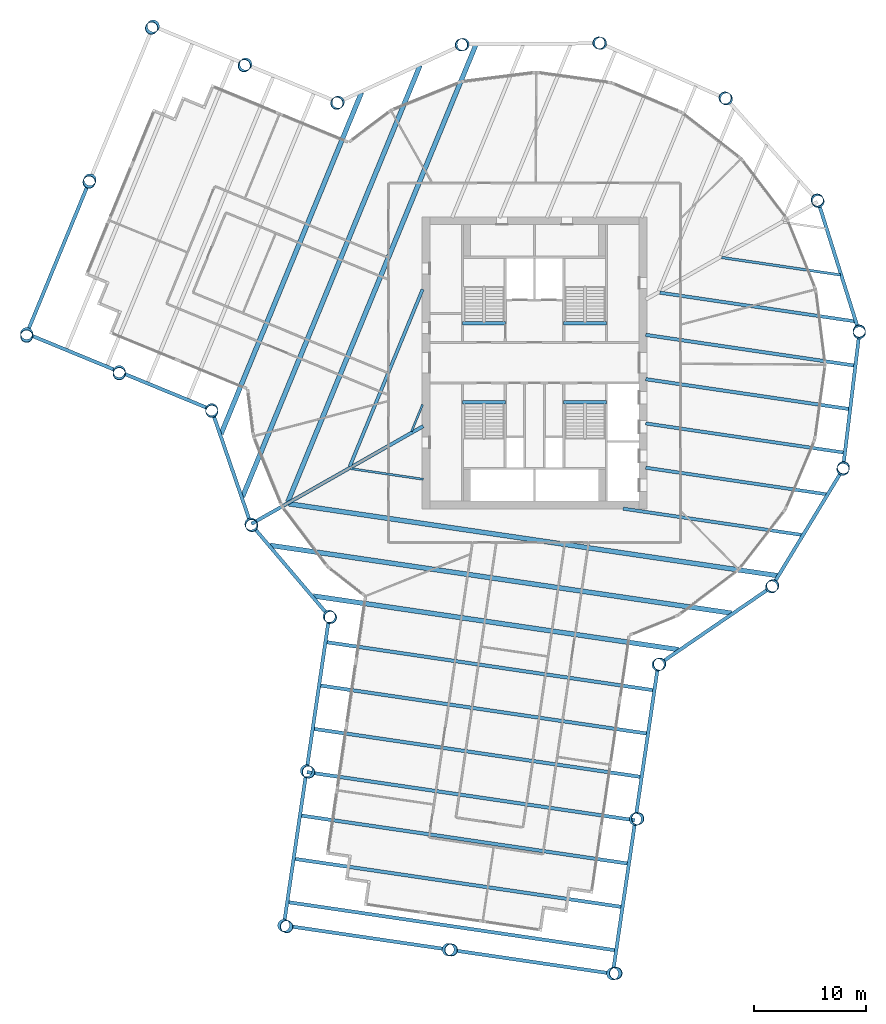
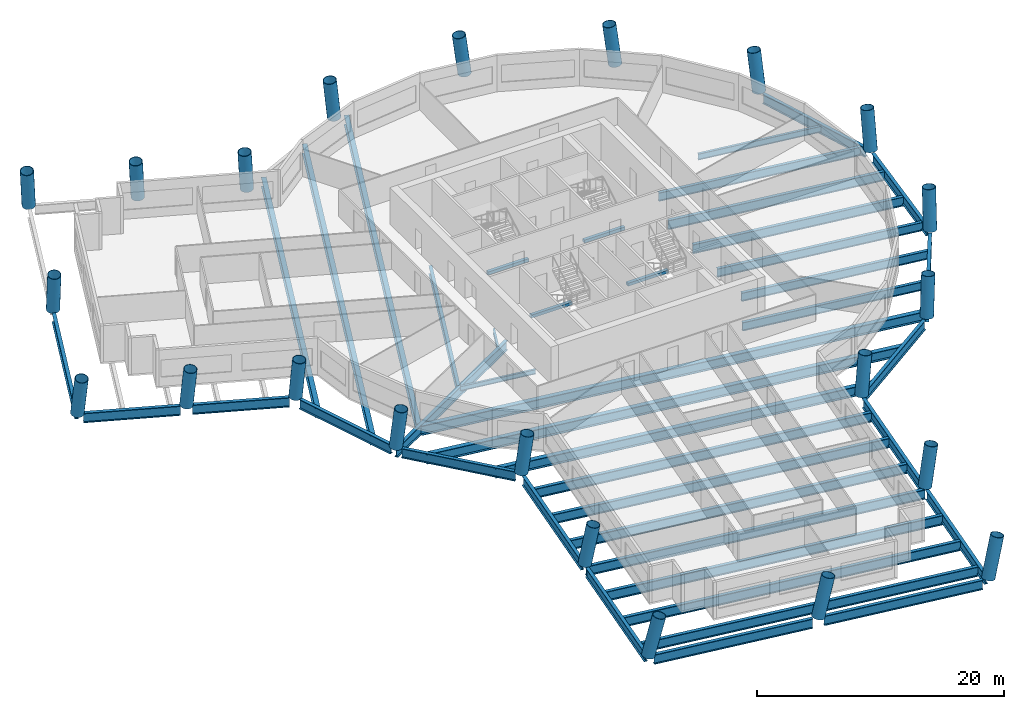
# One storey, part 1 of 11: 43 beams, 22 columns.
"""IFC4 building model written with IfcOpenShell, lengths in metres."""

from ifc_helpers import new_model, si_unit, direction, frame, origin, origin_2d, place, context, subcontext, project, spatial, rectangle, hollow_circle, i_section, extrude, material, material_profile, profile_set, type_object, element, save


model = new_model("IFC4")

# Units and contexts
model_context = context("Model", 3, precision=1e-05, world=origin(), true_north=direction((0.0, 1.0)))
body_context = subcontext(model_context, "Body", "Model", "MODEL_VIEW")
ifc_project = project(units=[si_unit("LENGTHUNIT", "METRE"), si_unit("AREAUNIT", "SQUARE_METRE"), si_unit("VOLUMEUNIT", "CUBIC_METRE"), si_unit("PLANEANGLEUNIT", "RADIAN"), si_unit("MASSUNIT", "GRAM", prefix="KILO")], contexts=[model_context])

# Site, building, storey
site_placement = place(None, origin())
site = spatial("IfcSite", under=ifc_project, at=site_placement, CompositionType="ELEMENT")
building_placement = place(site_placement, origin())
building = spatial("IfcBuilding", under=site, at=building_placement, Name="Tarsis Ring Headquarters", CompositionType="ELEMENT")
storey_placement = place(building_placement, frame((0.0, 0.0, 190.5)))
storey = spatial("IfcBuildingStorey", under=building, at=storey_placement, Name="L44", CompositionType="ELEMENT", Elevation=190.5)

# Columns
ifc_material_1 = material(Name="Structural steel S355", Category="steel")
ifc_material_profile_1 = material_profile(ifc_material_1, hollow_circle(Radius=0.558837890625, WallThickness=0.044921875, at=origin_2d()), Name="CHS 1118x45")
ifc_profile_set_1 = profile_set([ifc_material_profile_1], Name="Structural steel S355")
column_type = type_object("IfcColumnType", Name="XC Exo column CHS 1118x45", PredefinedType="COLUMN", material=ifc_profile_set_1)
for number, where, z_axis, x_axis, name in (
    (1, (-25.247314453125, -14.3662109375, 0.003173828125), (0.062131877792, -0.107154072654, 0.992299165814), (0.865092445324, 0.501612461013, 0.0), "Exo column XC4 F1"),
    (2, (-18.276611328125, -22.578369140625, 0.003173828125), (0.096913382622, -0.077118574445, 0.992300620651), (0.622663916313, 0.782489391188, 0.0), "Exo column XC4 AK"),
):
    element("IfcColumn", number, at=place(storey_placement, frame(where, z_axis=z_axis, x_axis=x_axis)), inside=storey, type_object=column_type, Name=name, PredefinedType="COLUMN", context=body_context, shape_type="SweptSolid", body=[
        extrude(hollow_circle(Radius=0.558837890625, WallThickness=0.044921875, at=origin_2d()), origin(), (0.0, 0.0, 1.0), 3.90966796875),
    ])
column_1_placement = place(storey_placement, frame((-20.29736328125, -36.3330078125, 0.00439453125), z_axis=(0.154320243768, -0.084547132748, 0.984396792309), x_axis=(0.480482617874, 0.877004249659, 0.0)))
element("IfcColumn", 3, at=column_1_placement, inside=storey, type_object=column_type, Name="Exo column XC4 AI1", PredefinedType="COLUMN", context=body_context, shape_type="SweptSolid", body=[
    extrude(hollow_circle(Radius=0.558837890625, WallThickness=0.044921875, at=origin_2d()), origin(), (0.0, 0.0, 1.0), 3.932861328125),
])
column_2_placement = place(storey_placement, frame((-22.318115234375, -50.087646484375, 0.005615234375), z_axis=(0.210219231736, -0.091578828571, 0.973355635298), x_axis=(0.399383132578, 0.916784114943, 0.0)))
element("IfcColumn", 4, at=column_2_placement, inside=storey, type_object=column_type, Name="Exo column XC4 AT1", PredefinedType="COLUMN", context=body_context, shape_type="SweptSolid", body=[
    extrude(hollow_circle(Radius=0.558837890625, WallThickness=0.044921875, at=origin_2d()), origin(), (0.0, 0.0, 1.0), 3.969482421875),
])
column_3_placement = place(storey_placement, frame((-7.675537109375, -52.239013671875, 0.00537109375), z_axis=(0.219119226711, -0.030369912502, 0.975225324169), x_axis=(0.13728757311, 0.990531232354, 0.0)))
element("IfcColumn", 5, at=column_3_placement, inside=storey, type_object=column_type, Name="Exo column XC4 AT2", PredefinedType="COLUMN", context=body_context, shape_type="SweptSolid", body=[
    extrude(hollow_circle(Radius=0.558837890625, WallThickness=0.044921875, at=origin_2d()), origin(), (0.0, 0.0, 1.0), 3.963134765625),
])
column_4_placement = place(storey_placement, frame((6.96728515625, -54.390625, 0.005615234375), z_axis=(0.227193868799, 0.03105925927, 0.973354133085), x_axis=(-0.135448329135, 0.990784411532, 0.0)))
element("IfcColumn", 6, at=column_4_placement, inside=storey, type_object=column_type, Name="Exo column XC4 AT3", PredefinedType="COLUMN", context=body_context, shape_type="SweptSolid", body=[
    extrude(hollow_circle(Radius=0.558837890625, WallThickness=0.044921875, at=origin_2d()), origin(), (0.0, 0.0, 1.0), 3.969482421875),
])
column_5_placement = place(storey_placement, frame((8.988037109375, -40.635986328125, 0.00439453125), z_axis=(0.171514506835, 0.039417919595, 0.984392706982), x_axis=(-0.223983535796, 0.974592928197, 0.0)))
element("IfcColumn", 7, at=column_5_placement, inside=storey, type_object=column_type, Name="Exo column XC4 AO1", PredefinedType="COLUMN", context=body_context, shape_type="SweptSolid", body=[
    extrude(hollow_circle(Radius=0.558837890625, WallThickness=0.044921875, at=origin_2d()), origin(), (0.0, 0.0, 1.0), 3.932861328125),
])
for number, where, z_axis, x_axis, name in (
    (8, (11.009033203125, -26.881591796875, 0.003173828125), (0.114210512051, 0.04789473086, 0.992301392568), (-0.386726676251, 0.922194381829, 0.0), "Exo column XC4 AJ"),
    (9, (21.110595703125, -19.953857421875, 0.003173828125), (0.084300169886, 0.090669516055, 0.992306666417), (-0.732362201833, 0.680915270299, 0.0), "Exo column XC4 R1"),
    (10, (27.45849609375, -9.478515625, 0.003173828125), (0.039464736054, 0.11739510092, 0.992300823787), (-0.94787351033, 0.318646839643, 0.0), "Exo column XC4 R2"),
    (11, (28.92431640625, 2.682373046875, 0.003173828125), (-0.012426432516, 0.123202770624, 0.992303714135), (-0.994951948735, -0.100352477343, 0.0), "Exo column XC4 R3"),
    (12, (25.247314453125, 14.3662109375, 0.003173828125), (-0.062131877792, 0.107154072654, 0.992299165814), (-0.865092445324, -0.501612461013, 0.0), "Exo column XC4 R4"),
    (13, (17.0810546875, 23.495849609375, 0.003173828125), (-0.100723471076, 0.071936415796, 0.992310402272), (-0.581190469215, -0.813767558025, 0.0), "Exo column XC4 R5"),
    (14, (5.8779296875, 28.447509765625, 0.003173828125), (-0.121516106279, 0.024040956278, 0.992298275891), (-0.194079909237, -0.980985723051, 0.0), "Exo column XC4 R6"),
    (15, (-6.37060546875, 28.34130859375, 0.003173828125), (-0.12058014597, -0.028162426635, 0.992304039155), (0.227436854808, -0.973792830675, 0.0), "Exo column XC4 R7"),
    (16, (-17.486083984375, 23.19580078125, 0.003173828125), (-0.098287078915, -0.07537007894, 0.992299854539), (0.608516212989, -0.793541440965, 0.0), "Exo column XC4 BJ"),
):
    element("IfcColumn", number, at=place(storey_placement, frame(where, z_axis=z_axis, x_axis=x_axis)), inside=storey, type_object=column_type, Name=name, PredefinedType="COLUMN", context=body_context, shape_type="SweptSolid", body=[
        extrude(hollow_circle(Radius=0.558837890625, WallThickness=0.044921875, at=origin_2d()), origin(), (0.0, 0.0, 1.0), 3.90966796875),
    ])
column_6_placement = place(storey_placement, frame((-25.71923828125, 26.582275390625, 0.004150390625), z_axis=(-0.11189874156, -0.11003168803, 0.987609082211), x_axis=(0.701133231231, -0.713030288322, 0.0)))
element("IfcColumn", 17, at=column_6_placement, inside=storey, type_object=column_type, Name="Exo column XC4 BO1", PredefinedType="COLUMN", context=body_context, shape_type="SweptSolid", body=[
    extrude(hollow_circle(Radius=0.558837890625, WallThickness=0.044921875, at=origin_2d()), origin(), (0.0, 0.0, 1.0), 3.9228515625),
])
column_7_placement = place(storey_placement, frame((-33.952392578125, 29.96875, 0.0048828125), z_axis=(-0.125168840325, -0.144244546817, 0.981593740875), x_axis=(0.755282334168, -0.655399569495, 0.0)))
element("IfcColumn", 18, at=column_7_placement, inside=storey, type_object=column_type, Name="Exo column XC4 BT3", PredefinedType="COLUMN", context=body_context, shape_type="SweptSolid", body=[
    extrude(hollow_circle(Radius=0.558837890625, WallThickness=0.044921875, at=origin_2d()), origin(), (0.0, 0.0, 1.0), 3.94189453125),
])
column_8_placement = place(storey_placement, frame((-39.582275390625, 16.281494140625, 0.004638671875), z_axis=(-0.067366038476, -0.167856814103, 0.983506942944), x_axis=(0.928050337108, -0.372454791611, 0.0)))
element("IfcColumn", 19, at=column_8_placement, inside=storey, type_object=column_type, Name="Exo column XC4 BT2", PredefinedType="COLUMN", context=body_context, shape_type="SweptSolid", body=[
    extrude(hollow_circle(Radius=0.558837890625, WallThickness=0.044921875, at=origin_2d()), origin(), (0.0, 0.0, 1.0), 3.935791015625),
])
column_9_placement = place(storey_placement, frame((-45.212158203125, 2.593994140625, 0.0048828125), z_axis=(-0.009352041601, -0.19075687504, 0.981592763799), x_axis=(0.998800388993, -0.048967161928, 0.0)))
element("IfcColumn", 20, at=column_9_placement, inside=storey, type_object=column_type, Name="Exo column XC4 BT1", PredefinedType="COLUMN", context=body_context, shape_type="SweptSolid", body=[
    extrude(hollow_circle(Radius=0.558837890625, WallThickness=0.044921875, at=origin_2d()), origin(), (0.0, 0.0, 1.0), 3.94189453125),
])
column_10_placement = place(storey_placement, frame((-36.979248046875, -0.792236328125, 0.004150390625), z_axis=(0.004667611787, -0.156893990867, 0.987604419305), x_axis=(0.999557759338, 0.029736942463, 0.0)))
element("IfcColumn", 21, at=column_10_placement, inside=storey, type_object=column_type, Name="Exo column XC4 BI1", PredefinedType="COLUMN", context=body_context, shape_type="SweptSolid", body=[
    extrude(hollow_circle(Radius=0.558837890625, WallThickness=0.044921875, at=origin_2d()), origin(), (0.0, 0.0, 1.0), 3.9228515625),
])
column_11_placement = place(storey_placement, frame((-28.746337890625, -4.1787109375, 0.003173828125), z_axis=(0.018858186692, -0.12239088052, 0.992302797114), x_axis=(0.988336694387, 0.152284531482, 0.0)))
element("IfcColumn", 22, at=column_11_placement, inside=storey, type_object=column_type, Name="Exo column XC4 BK", PredefinedType="COLUMN", context=body_context, shape_type="SweptSolid", body=[
    extrude(hollow_circle(Radius=0.558837890625, WallThickness=0.044921875, at=origin_2d()), origin(), (0.0, 0.0, 1.0), 3.90966796875),
])

# Beams
ifc_material_profile_2 = material_profile(ifc_material_1, i_section(OverallWidth=0.177734375, OverallDepth=0.406494140625, WebThickness=0.0078125, FlangeThickness=0.0126953125, at=origin_2d()), Name="W16x40")
ifc_profile_set_2 = profile_set([ifc_material_profile_2], Name="Structural steel S355")
beam_type_1 = type_object("IfcBeamType", Name="FB Floor beam W16x40", PredefinedType="JOIST", material=ifc_profile_set_2)
beam_1_placement = place(storey_placement, frame((-9.9619140625, -3.714111328125, -0.36328125), z_axis=(-0.380462492529, -0.924796351517, 0.0), x_axis=(0.924796351517, -0.380462492529, 0.0)))
element("IfcBeam", 23, at=beam_1_placement, inside=storey, type_object=beam_type_1, Name="Floor beam FB1", PredefinedType="JOIST", context=body_context, shape_type="SweptSolid", body=[
    extrude(i_section(OverallWidth=0.177734375, OverallDepth=0.406494140625, WebThickness=0.0078125, FlangeThickness=0.0126953125, at=origin_2d()), origin(), (0.0, 0.0, 1.0), 2.607177734375),
])
ifc_material_profile_3 = material_profile(ifc_material_1, i_section(OverallWidth=0.1904296875, OverallDepth=0.457275390625, WebThickness=0.009033203125, FlangeThickness=0.014404296875, at=origin_2d()), Name="W18x50")
ifc_profile_set_3 = profile_set([ifc_material_profile_3], Name="Structural steel S355")
beam_type_2 = type_object("IfcBeamType", Name="FB Floor beam W18x50", PredefinedType="JOIST", material=ifc_profile_set_3)
beam_2_placement = place(storey_placement, frame((-16.3671875, -9.42041015625, -0.388671875), z_axis=(0.989374470826, -0.145389671152, 0.0), x_axis=(0.145389671152, 0.989374470826, 0.0)))
element("IfcBeam", 24, at=beam_2_placement, inside=storey, type_object=beam_type_2, Name="Floor beam FB2", PredefinedType="JOIST", context=body_context, shape_type="SweptSolid", body=[
    extrude(i_section(OverallWidth=0.1904296875, OverallDepth=0.457275390625, WebThickness=0.009033203125, FlangeThickness=0.014404296875, at=origin_2d()), origin(), (0.0, 0.0, 1.0), 6.535400390625),
])
ifc_material_profile_4 = material_profile(ifc_material_1, i_section(OverallWidth=0.228271484375, OverallDepth=0.607177734375, WebThickness=0.01123046875, FlangeThickness=0.017333984375, at=origin_2d()), Name="W24x76")
ifc_profile_set_4 = profile_set([ifc_material_profile_4], Name="Structural steel S355")
beam_type_3 = type_object("IfcBeamType", Name="FB Floor beam W24x76", PredefinedType="JOIST", material=ifc_profile_set_4)
beam_3_placement = place(storey_placement, frame((16.667236328125, 9.376220703125, -0.463623046875), z_axis=(0.989374414361, -0.145390055394, 0.0), x_axis=(0.145390055394, 0.989374414361, 0.0)))
element("IfcBeam", 25, at=beam_3_placement, inside=storey, type_object=beam_type_3, Name="Floor beam FB4", PredefinedType="JOIST", context=body_context, shape_type="SweptSolid", body=[
    extrude(i_section(OverallWidth=0.228271484375, OverallDepth=0.607177734375, WebThickness=0.01123046875, FlangeThickness=0.017333984375, at=origin_2d()), origin(), (0.0, 0.0, 1.0), 10.684814453125),
])
ifc_material_profile_5 = material_profile(ifc_material_1, i_section(OverallWidth=0.2919921875, OverallDepth=0.835693359375, WebThickness=0.013916015625, FlangeThickness=0.018798828125, at=origin_2d()), Name="W33x118")
ifc_profile_set_5 = profile_set([ifc_material_profile_5], Name="Structural steel S355")
beam_type_4 = type_object("IfcBeamType", Name="FB Floor beam W33x118", PredefinedType="JOIST", material=ifc_profile_set_5)
beam_4_placement = place(storey_placement, frame((11.16162109375, 6.24365234375, -0.577880859375), z_axis=(0.989374136241, -0.145391947977, 0.0), x_axis=(0.145391947977, 0.989374136241, 0.0)))
element("IfcBeam", 26, at=beam_4_placement, inside=storey, type_object=beam_type_4, Name="Floor beam FB7", PredefinedType="JOIST", context=body_context, shape_type="SweptSolid", body=[
    extrude(i_section(OverallWidth=0.2919921875, OverallDepth=0.835693359375, WebThickness=0.013916015625, FlangeThickness=0.018798828125, at=origin_2d()), origin(), (0.0, 0.0, 1.0), 17.564208984375),
])
beam_5_placement = place(storey_placement, frame((9.901123046875, -5.39697265625, -0.577880859375), z_axis=(0.989375150615, -0.145385045123, 0.0), x_axis=(0.145385045123, 0.989375150615, 0.0)))
element("IfcBeam", 27, at=beam_5_placement, inside=storey, type_object=beam_type_4, Name="Floor beam FB7", PredefinedType="JOIST", context=body_context, shape_type="SweptSolid", body=[
    extrude(i_section(OverallWidth=0.2919921875, OverallDepth=0.835693359375, WebThickness=0.013916015625, FlangeThickness=0.018798828125, at=origin_2d()), origin(), (0.0, 0.0, 1.0), 17.870849609375),
])
beam_6_placement = place(storey_placement, frame((9.901123046875, -9.3388671875, -0.577880859375), z_axis=(0.989374660629, -0.145388379538, 0.0), x_axis=(0.145388379538, 0.989374660629, 0.0)))
element("IfcBeam", 28, at=beam_6_placement, inside=storey, type_object=beam_type_4, Name="Floor beam FB7", PredefinedType="JOIST", context=body_context, shape_type="SweptSolid", body=[
    extrude(i_section(OverallWidth=0.2919921875, OverallDepth=0.835693359375, WebThickness=0.013916015625, FlangeThickness=0.018798828125, at=origin_2d()), origin(), (0.0, 0.0, 1.0), 16.305419921875),
])
beam_7_placement = place(storey_placement, frame((7.892333984375, -12.9853515625, -0.577880859375), z_axis=(0.989372276941, -0.145404599725, 0.0), x_axis=(0.145404599725, 0.989372276941, 0.0)))
element("IfcBeam", 29, at=beam_7_placement, inside=storey, type_object=beam_type_4, Name="Floor beam FB7", PredefinedType="JOIST", context=body_context, shape_type="SweptSolid", body=[
    extrude(i_section(OverallWidth=0.2919921875, OverallDepth=0.835693359375, WebThickness=0.013916015625, FlangeThickness=0.018798828125, at=origin_2d()), origin(), (0.0, 0.0, 1.0), 16.118896484375),
])
beam_8_placement = place(storey_placement, frame((-9.9619140625, 6.53759765625, -0.577880859375), z_axis=(-0.380422666888, -0.924812734838, 0.0), x_axis=(0.924812734838, -0.380422666888, 0.0)))
element("IfcBeam", 30, at=beam_8_placement, inside=storey, type_object=beam_type_4, Name="Floor beam FB7", PredefinedType="JOIST", context=body_context, shape_type="SweptSolid", body=[
    extrude(i_section(OverallWidth=0.2919921875, OverallDepth=0.835693359375, WebThickness=0.013916015625, FlangeThickness=0.018798828125, at=origin_2d()), origin(), (0.0, 0.0, 1.0), 17.079833984375),
])
ifc_material_profile_6 = material_profile(ifc_material_1, i_section(OverallWidth=0.3046875, OverallDepth=0.904296875, WebThickness=0.01513671875, FlangeThickness=0.02001953125, at=origin_2d()), Name="W36x135")
ifc_profile_set_6 = profile_set([ifc_material_profile_6], Name="Structural steel S355")
beam_type_5 = type_object("IfcBeamType", Name="FB Floor beam W36x135", PredefinedType="JOIST", material=ifc_profile_set_6)
beam_9_placement = place(storey_placement, frame((9.901123046875, 2.48681640625, -0.612060546875), z_axis=(0.989375280715, -0.145384159761, 0.0), x_axis=(0.145384159761, 0.989375280715, 0.0)))
element("IfcBeam", 31, at=beam_9_placement, inside=storey, type_object=beam_type_5, Name="Floor beam FB8", PredefinedType="JOIST", context=body_context, shape_type="SweptSolid", body=[
    extrude(i_section(OverallWidth=0.3046875, OverallDepth=0.904296875, WebThickness=0.01513671875, FlangeThickness=0.02001953125, at=origin_2d()), origin(), (0.0, 0.0, 1.0), 18.814697265625),
])
beam_10_placement = place(storey_placement, frame((9.901123046875, -1.455078125, -0.612060546875), z_axis=(0.989375076673, -0.14538554831, 0.0), x_axis=(0.14538554831, 0.989375076673, 0.0)))
element("IfcBeam", 32, at=beam_10_placement, inside=storey, type_object=beam_type_5, Name="Floor beam FB8", PredefinedType="JOIST", context=body_context, shape_type="SweptSolid", body=[
    extrude(i_section(OverallWidth=0.3046875, OverallDepth=0.904296875, WebThickness=0.01513671875, FlangeThickness=0.02001953125, at=origin_2d()), origin(), (0.0, 0.0, 1.0), 18.342529296875),
])
ifc_material_profile_7 = material_profile(ifc_material_1, i_section(OverallWidth=0.309814453125, OverallDepth=0.949951171875, WebThickness=0.0244140625, FlangeThickness=0.0439453125, at=origin_2d()), Name="W36x256")
ifc_profile_set_7 = profile_set([ifc_material_profile_7], Name="Structural steel S355")
beam_type_6 = type_object("IfcBeamType", Name="FB Floor beam W36x256", PredefinedType="JOIST", material=ifc_profile_set_7)
for number, where, z_axis, x_axis, name in (
    (33, (-18.5576171875, -24.8662109375, -0.635009765625), (0.989374271458, -0.145391027842, 0.0), (0.145391027842, 0.989374271458, 0.0), "Floor beam FB11"),
    (34, (-19.12451171875, -28.724609375, -0.635009765625), (0.989374271458, -0.145391027842, 0.0), (0.145391027842, 0.989374271458, 0.0), "Floor beam FB11"),
    (35, (-19.691650390625, -32.583251953125, -0.635009765625), (0.989374271458, -0.145391027842, 0.0), (0.145391027842, 0.989374271458, 0.0), "Floor beam FB11"),
):
    element("IfcBeam", number, at=place(storey_placement, frame(where, z_axis=z_axis, x_axis=x_axis)), inside=storey, type_object=beam_type_6, Name=name, PredefinedType="JOIST", context=body_context, shape_type="SweptSolid", body=[
        extrude(i_section(OverallWidth=0.309814453125, OverallDepth=0.949951171875, WebThickness=0.0244140625, FlangeThickness=0.0439453125, at=origin_2d()), origin(), (0.0, 0.0, 1.0), 29.489990234375),
    ])
beam_11_placement = place(storey_placement, frame((-20.2587890625, -36.441650390625, -0.635009765625), z_axis=(0.989373080563, -0.145399131555, 0.0), x_axis=(0.145399131555, 0.989373080563, 0.0)))
element("IfcBeam", 36, at=beam_11_placement, inside=storey, type_object=beam_type_6, Name="Floor beam FB11", PredefinedType="JOIST", context=body_context, shape_type="SweptSolid", body=[
    extrude(i_section(OverallWidth=0.309814453125, OverallDepth=0.949951171875, WebThickness=0.0244140625, FlangeThickness=0.0439453125, at=origin_2d()), origin(), (0.0, 0.0, 1.0), 29.490234375),
])
for number, where, z_axis, x_axis, name in (
    (37, (-20.82568359375, -40.30029296875, -0.635009765625), (0.989374271458, -0.145391027842, 0.0), (0.145391027842, 0.989374271458, 0.0), "Floor beam FB11"),
    (38, (-21.392822265625, -44.158935546875, -0.635009765625), (0.989374271458, -0.145391027842, 0.0), (0.145391027842, 0.989374271458, 0.0), "Floor beam FB11"),
):
    element("IfcBeam", number, at=place(storey_placement, frame(where, z_axis=z_axis, x_axis=x_axis)), inside=storey, type_object=beam_type_6, Name=name, PredefinedType="JOIST", context=body_context, shape_type="SweptSolid", body=[
        extrude(i_section(OverallWidth=0.309814453125, OverallDepth=0.949951171875, WebThickness=0.0244140625, FlangeThickness=0.0439453125, at=origin_2d()), origin(), (0.0, 0.0, 1.0), 29.489990234375),
    ])
beam_12_placement = place(storey_placement, frame((-21.959716796875, -48.017333984375, -0.635009765625), z_axis=(0.989373080563, -0.145399131555, 0.0), x_axis=(0.145399131555, 0.989373080563, 0.0)))
element("IfcBeam", 39, at=beam_12_placement, inside=storey, type_object=beam_type_6, Name="Floor beam FB11", PredefinedType="JOIST", context=body_context, shape_type="SweptSolid", body=[
    extrude(i_section(OverallWidth=0.309814453125, OverallDepth=0.949951171875, WebThickness=0.0244140625, FlangeThickness=0.0439453125, at=origin_2d()), origin(), (0.0, 0.0, 1.0), 29.490234375),
])
beam_type_7 = type_object("IfcBeamType", Name="FB Floor beam W36x256 spine", PredefinedType="BEAM", material=ifc_profile_set_7)
beam_13_placement = place(storey_placement, frame((-9.9130859375, -5.640625, -0.635009765625), z_axis=(-0.869149016148, -0.494550288372, 0.0), x_axis=(0.494550288372, -0.869149016148, 0.0)))
element("IfcBeam", 40, at=beam_13_placement, inside=storey, type_object=beam_type_7, Name="Floor beam SB11", PredefinedType="BEAM", context=body_context, shape_type="SweptSolid", body=[
    extrude(i_section(OverallWidth=0.309814453125, OverallDepth=0.949951171875, WebThickness=0.0244140625, FlangeThickness=0.0439453125, at=origin_2d()), origin(), (0.0, 0.0, 1.0), 17.585205078125),
])
ifc_material_profile_8 = material_profile(ifc_material_1, i_section(OverallWidth=0.42431640625, OverallDepth=0.947509765625, WebThickness=0.02392578125, FlangeThickness=0.042724609375, at=origin_2d()), Name="W36x302")
ifc_profile_set_8 = profile_set([ifc_material_profile_8], Name="Structural steel S355")
beam_type_8 = type_object("IfcBeamType", Name="FB Floor beam W36x302", PredefinedType="JOIST", material=ifc_profile_set_8)
beam_14_placement = place(storey_placement, frame((-21.873046875, -12.55322265625, -0.6337890625), z_axis=(0.98937428649, -0.145390925554, 0.0), x_axis=(0.145390925554, 0.98937428649, 0.0)))
element("IfcBeam", 41, at=beam_14_placement, inside=storey, type_object=beam_type_8, Name="Floor beam FB12", PredefinedType="JOIST", context=body_context, shape_type="SweptSolid", body=[
    extrude(i_section(OverallWidth=0.42431640625, OverallDepth=0.947509765625, WebThickness=0.02392578125, FlangeThickness=0.042724609375, at=origin_2d()), origin(), (0.0, 0.0, 1.0), 43.986572265625),
])
beam_15_placement = place(storey_placement, frame((-23.5302734375, -16.25146484375, -0.6337890625), z_axis=(0.989373667476, -0.145395137829, 0.0), x_axis=(0.145395137829, 0.989373667476, 0.0)))
element("IfcBeam", 42, at=beam_15_placement, inside=storey, type_object=beam_type_8, Name="Floor beam FB12", PredefinedType="JOIST", context=body_context, shape_type="SweptSolid", body=[
    extrude(i_section(OverallWidth=0.42431640625, OverallDepth=0.947509765625, WebThickness=0.02392578125, FlangeThickness=0.042724609375, at=origin_2d()), origin(), (0.0, 0.0, 1.0), 41.523681640625),
])
beam_16_placement = place(storey_placement, frame((-19.70751953125, -20.755126953125, -0.6337890625), z_axis=(0.989373247446, -0.14539799599, 0.0), x_axis=(0.14539799599, 0.989373247446, 0.0)))
element("IfcBeam", 43, at=beam_16_placement, inside=storey, type_object=beam_type_8, Name="Floor beam FB12", PredefinedType="JOIST", context=body_context, shape_type="SweptSolid", body=[
    extrude(i_section(OverallWidth=0.42431640625, OverallDepth=0.947509765625, WebThickness=0.02392578125, FlangeThickness=0.042724609375, at=origin_2d()), origin(), (0.0, 0.0, 1.0), 32.87548828125),
])
beam_17_placement = place(storey_placement, frame((-5.231689453125, 28.28857421875, -0.6337890625), z_axis=(-0.380424841403, -0.924811840346, 0.0), x_axis=(0.924811840346, -0.380424841403, 0.0)))
element("IfcBeam", 44, at=beam_17_placement, inside=storey, type_object=beam_type_8, Name="Floor beam FB12", PredefinedType="JOIST", context=body_context, shape_type="SweptSolid", body=[
    extrude(i_section(OverallWidth=0.42431640625, OverallDepth=0.947509765625, WebThickness=0.02392578125, FlangeThickness=0.042724609375, at=origin_2d()), origin(), (0.0, 0.0, 1.0), 43.98681640625),
])
beam_18_placement = place(storey_placement, frame((-10.194580078125, 26.475341796875, -0.6337890625), z_axis=(-0.380429521636, -0.9248099151, 0.0), x_axis=(0.9248099151, -0.380429521636, 0.0)))
element("IfcBeam", 45, at=beam_18_placement, inside=storey, type_object=beam_type_8, Name="Floor beam FB12", PredefinedType="JOIST", context=body_context, shape_type="SweptSolid", body=[
    extrude(i_section(OverallWidth=0.42431640625, OverallDepth=0.947509765625, WebThickness=0.02392578125, FlangeThickness=0.042724609375, at=origin_2d()), origin(), (0.0, 0.0, 1.0), 41.523681640625),
])
beam_19_placement = place(storey_placement, frame((-15.403564453125, 24.064208984375, -0.6337890625), z_axis=(-0.380424081616, -0.924812152886, 0.0), x_axis=(0.924812152886, -0.380424081616, 0.0)))
element("IfcBeam", 46, at=beam_19_placement, inside=storey, type_object=beam_type_8, Name="Floor beam FB12", PredefinedType="JOIST", context=body_context, shape_type="SweptSolid", body=[
    extrude(i_section(OverallWidth=0.42431640625, OverallDepth=0.947509765625, WebThickness=0.02392578125, FlangeThickness=0.042724609375, at=origin_2d()), origin(), (0.0, 0.0, 1.0), 32.87548828125),
])
ifc_material_2 = material(Name="Concrete C40/50", Category="concrete")
ifc_material_profile_9 = material_profile(ifc_material_2, rectangle(XDim=0.300048828125, YDim=0.300048828125, at=origin_2d()), Name="Stair head beam 300x300 C40/50")
ifc_profile_set_9 = profile_set([ifc_material_profile_9], Name="Concrete C40/50")
beam_type_9 = type_object("IfcBeamType", Name="Stair head beam 300x300 C40/50", PredefinedType="BEAM", material=ifc_profile_set_9)
for number, where, z_axis, x_axis, name in (
    (47, (-6.39990234375, 3.510009765625, -0.31005859375), (1.0, 0.0, 0.0), (0.0, 1.0, 0.0), "Stair head beam L44 Firefighting stair"),
    (48, (2.60009765625, 3.510009765625, -0.31005859375), (1.0, 0.0, 0.0), (0.0, 1.0, 0.0), "Stair head beam L44 Exit stair B"),
    (49, (-6.39990234375, -3.510009765625, -0.31005859375), (1.0, 0.0, 0.0), (0.0, 1.0, 0.0), "Stair head beam L44 Exit stair C"),
    (50, (2.60009765625, -3.510009765625, -0.31005859375), (1.0, 0.0, 0.0), (0.0, 1.0, 0.0), "Stair head beam L44 Exit stair D"),
):
    element("IfcBeam", number, at=place(storey_placement, frame(where, z_axis=z_axis, x_axis=x_axis)), inside=storey, type_object=beam_type_9, Name=name, PredefinedType="BEAM", context=body_context, shape_type="SweptSolid", body=[
        extrude(rectangle(XDim=0.300048828125, YDim=0.300048828125, at=origin_2d()), origin(), (0.0, 0.0, 1.0), 3.7998046875),
    ])
beam_type_10 = type_object("IfcBeamType", Name="XG Ring girder W36x256", PredefinedType="BEAM", material=ifc_profile_set_7)
beam_20_placement = place(storey_placement, frame((-24.922119140625, -14.749267578125, -0.47509765625), z_axis=(0.64713159503, -0.762378317316, 0.0), x_axis=(0.762378317316, 0.64713159503, 0.0)))
element("IfcBeam", 51, at=beam_20_placement, inside=storey, type_object=beam_type_10, Name="Ring girder XG2", PredefinedType="BEAM", context=body_context, shape_type="SweptSolid", body=[
    extrude(i_section(OverallWidth=0.309814453125, OverallDepth=0.949951171875, WebThickness=0.0244140625, FlangeThickness=0.0439453125, at=origin_2d()), origin(), (0.0, 0.0, 1.0), 9.765869140625),
])
for number, where, z_axis, x_axis, name in (
    (52, (-18.35009765625, -23.07568359375, -0.47509765625), (-0.145390437995, -0.989374358137, 0.0), (0.989374358137, -0.145390437995, 0.0), "Ring girder XG2"),
    (53, (-20.371337890625, -36.830322265625, -0.47509765625), (-0.145390437995, -0.989374358137, 0.0), (0.989374358137, -0.145390437995, 0.0), "Ring girder XG2"),
):
    element("IfcBeam", number, at=place(storey_placement, frame(where, z_axis=z_axis, x_axis=x_axis)), inside=storey, type_object=beam_type_10, Name=name, PredefinedType="BEAM", context=body_context, shape_type="SweptSolid", body=[
        extrude(i_section(OverallWidth=0.309814453125, OverallDepth=0.949951171875, WebThickness=0.0244140625, FlangeThickness=0.0439453125, at=origin_2d()), origin(), (0.0, 0.0, 1.0), 12.896240234375),
    ])
beam_21_placement = place(storey_placement, frame((-21.82177734375, -50.16015625, -0.47509765625), z_axis=(0.989373367747, -0.145397177389, 0.0), x_axis=(0.145397177389, 0.989373367747, 0.0)))
element("IfcBeam", 54, at=beam_21_placement, inside=storey, type_object=beam_type_10, Name="Ring girder XG2", PredefinedType="BEAM", context=body_context, shape_type="SweptSolid", body=[
    extrude(i_section(OverallWidth=0.309814453125, OverallDepth=0.949951171875, WebThickness=0.0244140625, FlangeThickness=0.0439453125, at=origin_2d()), origin(), (0.0, 0.0, 1.0), 13.7939453125),
])
beam_22_placement = place(storey_placement, frame((-7.17919921875, -52.31201171875, -0.47509765625), z_axis=(0.9893737419, -0.145394631397, 0.0), x_axis=(0.145394631397, 0.9893737419, 0.0)))
element("IfcBeam", 55, at=beam_22_placement, inside=storey, type_object=beam_type_10, Name="Ring girder XG2", PredefinedType="BEAM", context=body_context, shape_type="SweptSolid", body=[
    extrude(i_section(OverallWidth=0.309814453125, OverallDepth=0.949951171875, WebThickness=0.0244140625, FlangeThickness=0.0439453125, at=origin_2d()), origin(), (0.0, 0.0, 1.0), 13.794189453125),
])
for number, where, z_axis, x_axis, name in (
    (56, (7.0390625, -53.89306640625, -0.47509765625), (0.145390437995, 0.989374358137, 0.0), (-0.989374358137, 0.145390437995, 0.0), "Ring girder XG2"),
    (57, (9.060302734375, -40.138671875, -0.47509765625), (0.145408968793, 0.989371634824, 0.0), (-0.989371634824, 0.145408968793, 0.0), "Ring girder XG2"),
):
    element("IfcBeam", number, at=place(storey_placement, frame(where, z_axis=z_axis, x_axis=x_axis)), inside=storey, type_object=beam_type_10, Name=name, PredefinedType="BEAM", context=body_context, shape_type="SweptSolid", body=[
        extrude(i_section(OverallWidth=0.309814453125, OverallDepth=0.949951171875, WebThickness=0.0244140625, FlangeThickness=0.0439453125, at=origin_2d()), origin(), (0.0, 0.0, 1.0), 12.896240234375),
    ])
beam_23_placement = place(storey_placement, frame((11.42333984375, -26.597412109375, -0.47509765625), z_axis=(0.824705990961, 0.565561692898, 0.0), x_axis=(-0.565561692898, 0.824705990961, 0.0)))
element("IfcBeam", 58, at=beam_23_placement, inside=storey, type_object=beam_type_10, Name="Ring girder XG2", PredefinedType="BEAM", context=body_context, shape_type="SweptSolid", body=[
    extrude(i_section(OverallWidth=0.309814453125, OverallDepth=0.949951171875, WebThickness=0.0244140625, FlangeThickness=0.0439453125, at=origin_2d()), origin(), (0.0, 0.0, 1.0), 11.2431640625),
])
for number, where, z_axis, x_axis, name in (
    (59, (21.370849609375, -19.524169921875, -0.47509765625), (0.518268509033, 0.855217956164, 0.0), (-0.855217956164, 0.518268509033, 0.0), "Ring girder XG2"),
    (60, (27.5185546875, -8.9794921875, -0.47509765625), (0.11969321571, 0.992810925662, 0.0), (-0.992810925662, 0.11969321571, 0.0), "Ring girder XG2"),
):
    element("IfcBeam", number, at=place(storey_placement, frame(where, z_axis=z_axis, x_axis=x_axis)), inside=storey, type_object=beam_type_10, Name=name, PredefinedType="BEAM", context=body_context, shape_type="SweptSolid", body=[
        extrude(i_section(OverallWidth=0.309814453125, OverallDepth=0.949951171875, WebThickness=0.0244140625, FlangeThickness=0.0439453125, at=origin_2d()), origin(), (0.0, 0.0, 1.0), 11.242919921875),
    ])
beam_24_placement = place(storey_placement, frame((28.7734375, 3.16162109375, -0.47509765625), z_axis=(-0.300183431807, 0.953881495401, 0.0), x_axis=(-0.953881495401, -0.300183431807, 0.0)))
element("IfcBeam", 61, at=beam_24_placement, inside=storey, type_object=beam_type_10, Name="Ring girder XG2", PredefinedType="BEAM", context=body_context, shape_type="SweptSolid", body=[
    extrude(i_section(OverallWidth=0.309814453125, OverallDepth=0.949951171875, WebThickness=0.0244140625, FlangeThickness=0.0439453125, at=origin_2d()), origin(), (0.0, 0.0, 1.0), 11.2431640625),
])
beam_25_placement = place(storey_placement, frame((-39.773193359375, 15.817138671875, -0.47509765625), z_axis=(-0.380432882472, -0.924808532581, 0.0), x_axis=(0.924808532581, -0.380432882472, 0.0)))
element("IfcBeam", 62, at=beam_25_placement, inside=storey, type_object=beam_type_10, Name="Ring girder XG2", PredefinedType="BEAM", context=body_context, shape_type="SweptSolid", body=[
    extrude(i_section(OverallWidth=0.309814453125, OverallDepth=0.949951171875, WebThickness=0.0244140625, FlangeThickness=0.0439453125, at=origin_2d()), origin(), (0.0, 0.0, 1.0), 13.794189453125),
])
beam_26_placement = place(storey_placement, frame((-44.7470703125, 2.403564453125, -0.47509765625), z_axis=(0.924816344779, -0.380413890952, 0.0), x_axis=(0.380413890952, 0.924816344779, 0.0)))
element("IfcBeam", 63, at=beam_26_placement, inside=storey, type_object=beam_type_10, Name="Ring girder XG2", PredefinedType="BEAM", context=body_context, shape_type="SweptSolid", body=[
    extrude(i_section(OverallWidth=0.309814453125, OverallDepth=0.949951171875, WebThickness=0.0244140625, FlangeThickness=0.0439453125, at=origin_2d()), origin(), (0.0, 0.0, 1.0), 7.896484375),
])
beam_27_placement = place(storey_placement, frame((-36.51416015625, -0.98291015625, -0.47509765625), z_axis=(0.924800992172, -0.380451212219, 0.0), x_axis=(0.380451212219, 0.924800992172, 0.0)))
element("IfcBeam", 64, at=beam_27_placement, inside=storey, type_object=beam_type_10, Name="Ring girder XG2", PredefinedType="BEAM", context=body_context, shape_type="SweptSolid", body=[
    extrude(i_section(OverallWidth=0.309814453125, OverallDepth=0.949951171875, WebThickness=0.0244140625, FlangeThickness=0.0439453125, at=origin_2d()), origin(), (0.0, 0.0, 1.0), 7.896240234375),
])
beam_28_placement = place(storey_placement, frame((-28.5830078125, -4.654052734375, -0.47509765625), z_axis=(0.324824735065, -0.945774228603, 0.0), x_axis=(0.945774228603, 0.324824735065, 0.0)))
element("IfcBeam", 65, at=beam_28_placement, inside=storey, type_object=beam_type_10, Name="Ring girder XG2", PredefinedType="BEAM", context=body_context, shape_type="SweptSolid", body=[
    extrude(i_section(OverallWidth=0.309814453125, OverallDepth=0.949951171875, WebThickness=0.0244140625, FlangeThickness=0.0439453125, at=origin_2d()), origin(), (0.0, 0.0, 1.0), 9.765625),
])

save(model, "model.ifc")
